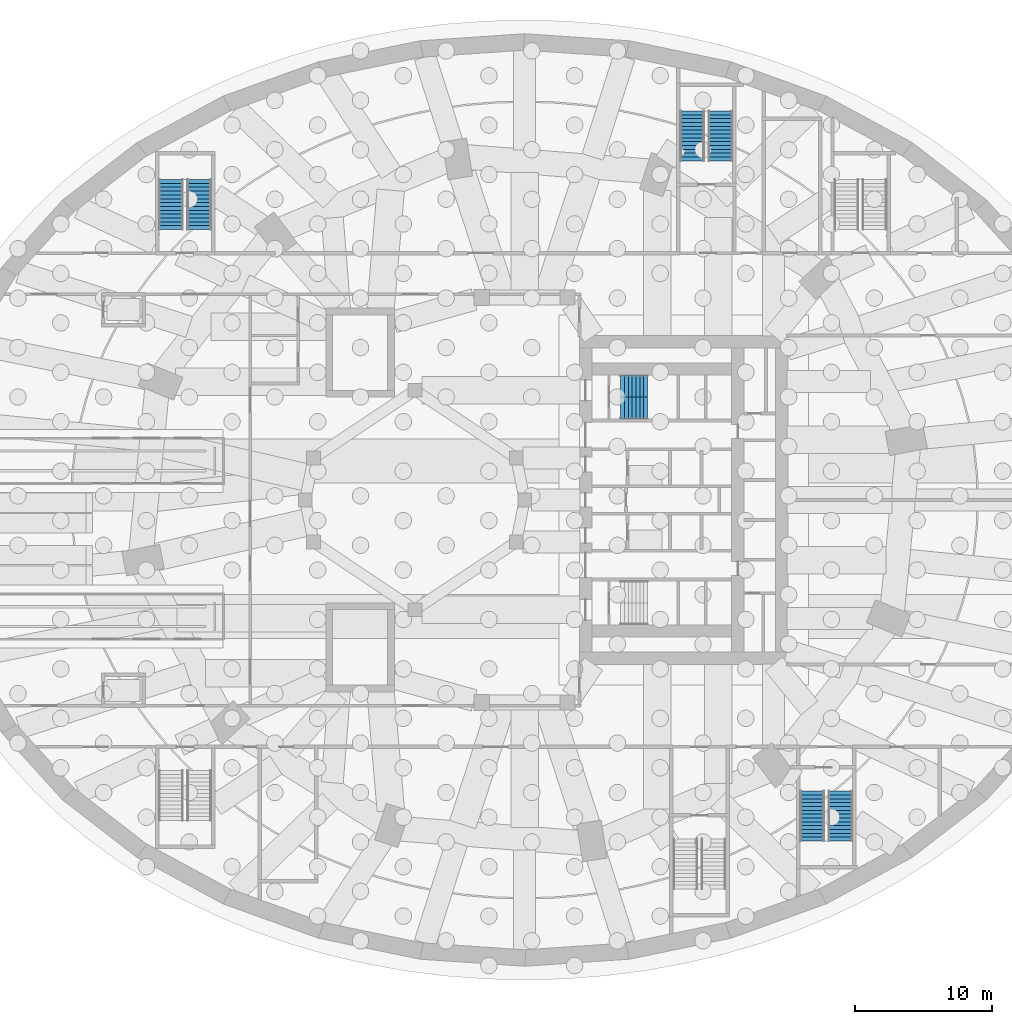
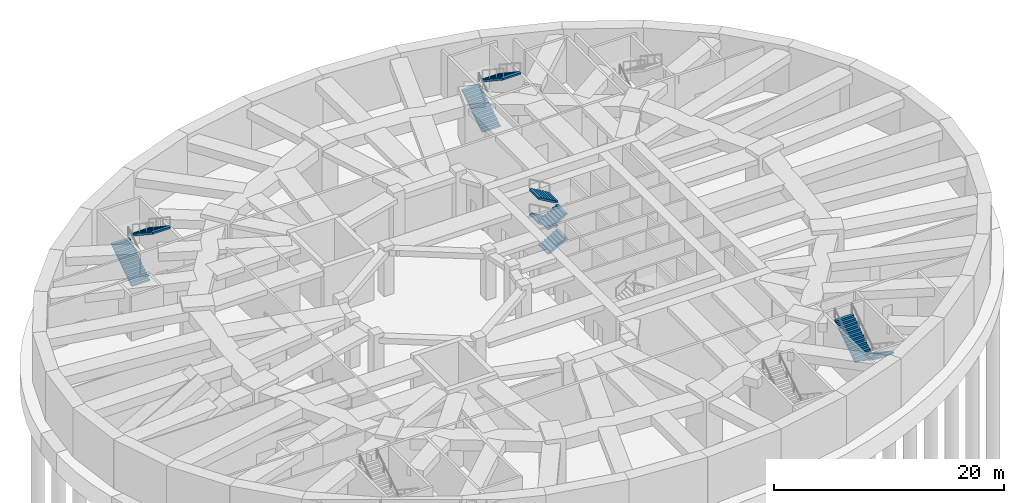
# One storey, part 13 of 18: 10 stair flights, 4 elements without a shape of their own.
"""IFC4 building model written with IfcOpenShell, lengths in metres."""

from ifc_helpers import new_model, si_unit, direction, frame, origin, place, context, subcontext, project, spatial, polyline, outline, extrude, material, type_object, element, aggregate, save


model = new_model("IFC4")

# Units and contexts
model_context = context("Model", 3, precision=1e-05, world=origin(), true_north=direction((0.0, 1.0)))
body_context = subcontext(model_context, "Body", "Model", "MODEL_VIEW")
ifc_project = project(units=[si_unit("LENGTHUNIT", "METRE"), si_unit("AREAUNIT", "SQUARE_METRE"), si_unit("VOLUMEUNIT", "CUBIC_METRE"), si_unit("PLANEANGLEUNIT", "RADIAN"), si_unit("MASSUNIT", "GRAM", prefix="KILO")], contexts=[model_context])

# Site, building, storey
site_placement = place(None, origin())
site = spatial("IfcSite", under=ifc_project, at=site_placement, CompositionType="ELEMENT")
building_placement = place(site_placement, origin())
building = spatial("IfcBuilding", under=site, at=building_placement, Name="Taillehof Tower", CompositionType="ELEMENT")
storey_placement = place(building_placement, frame((0.0, 0.0, -10.39990234375)))
storey = spatial("IfcBuildingStorey", under=building, at=storey_placement, Name="B2", CompositionType="ELEMENT", Elevation=-10.39990234375)

# Stair, stair flights
ifc_material_1 = material(Name="Concrete C40/50", Category="concrete")
stair_type_1 = type_object("IfcStairType", Name="Exit stair half-turn", PredefinedType="HALF_TURN_STAIR", material=ifc_material_1)
stair_1_placement = place(storey_placement, origin())
stair_1 = element("IfcStair", 1, at=stair_1_placement, inside=storey, type_object=stair_type_1, Name="Exit stair S1", PredefinedType="HALF_TURN_STAIR")
ifc_material_2 = material(Name="Concrete C40/50", Category="concrete")
stair_flight_type_1 = type_object("IfcStairFlightType", Name="Stair flight 1600 riser 162.5 going 280", PredefinedType="STRAIGHT", material=ifc_material_2)
stair_flight_1_placement = place(storey_placement, frame((7.0, 6.699951171875, 0.0), z_axis=(0.0, 0.0, 1.0), x_axis=(1.0, 0.0, 0.0)))
stair_flight_1 = element("IfcStairFlight", 2, at=stair_flight_1_placement, type_object=stair_flight_type_1, Name="S1 flight 1", NumberOfRisers=8, NumberOfTreads=7, PredefinedType="STRAIGHT", RiserHeight=0.1625, TreadLength=0.28, context=body_context, shape_type="SweptSolid", body=[
    extrude(outline(polyline([(0.0, 0.0), (0.0, 0.006591796875), (0.0, 0.012939453125), (0.0, 0.01953125), (0.0, 0.02587890625), (0.0, 0.032470703125), (0.0, 0.0390625), (0.0, 0.04541015625), (0.0, 0.052001953125), (0.0, 0.05859375), (0.0, 0.06494140625), (0.0, 0.071533203125), (0.0, 0.077880859375), (0.0, 0.08447265625), (0.0, 0.091064453125), (0.0, 0.097412109375), (0.0, 0.10400390625), (0.0, 0.110595703125), (0.0, 0.116943359375), (0.0, 0.12353515625), (0.0, 0.1298828125), (0.0, 0.136474609375), (0.0, 0.14306640625), (0.0, 0.1494140625), (0.0, 0.156005859375), (0.0, 0.16259765625), (0.280029296875, 0.16259765625), (0.280029296875, 0.324951171875), (0.56005859375, 0.324951171875), (0.56005859375, 0.487548828125), (0.840087890625, 0.487548828125), (0.840087890625, 0.64990234375), (1.1201171875, 0.64990234375), (1.1201171875, 0.8125), (1.39990234375, 0.8125), (1.39990234375, 0.97509765625), (1.679931640625, 0.97509765625), (1.679931640625, 1.137451171875), (1.9599609375, 1.137451171875), (1.9599609375, 1.130615234375), (1.9599609375, 1.12353515625), (1.9599609375, 1.11669921875), (1.9599609375, 1.10986328125), (1.9599609375, 1.102783203125), (1.9599609375, 1.095947265625), (1.9599609375, 1.0888671875), (1.9599609375, 1.08203125), (1.9599609375, 1.0751953125), (1.9599609375, 1.068115234375), (1.9599609375, 1.061279296875), (1.9599609375, 1.05419921875), (1.9599609375, 1.04736328125), (1.9599609375, 1.04052734375), (1.9599609375, 1.033447265625), (1.9599609375, 1.026611328125), (1.9599609375, 1.01953125), (1.9599609375, 1.0126953125), (1.9599609375, 1.005859375), (1.9599609375, 0.998779296875), (1.9599609375, 0.991943359375), (1.9599609375, 0.98486328125), (1.9599609375, 0.97802734375), (1.9599609375, 0.97119140625), (1.9599609375, 0.964111328125), (0.298583984375, 0.0), (0.0, 0.0)])), frame((0.0, 0.800048828125, 0.0), z_axis=(0.0, -1.0, 0.0), x_axis=(1.0, 0.0, 0.0)), (0.0, 0.0, 1.0), 1.6),
])
stair_flight_2_placement = place(storey_placement, frame((8.9599609375, 8.300048828125, 1.2998046875), z_axis=(0.0, 0.0, 1.0), x_axis=(-1.0, 0.0, 0.0)))
stair_flight_2 = element("IfcStairFlight", 3, at=stair_flight_2_placement, type_object=stair_flight_type_1, Name="S1 flight 2", NumberOfRisers=8, NumberOfTreads=7, PredefinedType="STRAIGHT", RiserHeight=0.1625, TreadLength=0.28, context=body_context, shape_type="SweptSolid", body=[
    extrude(outline(polyline([(0.0, 0.0), (0.0, 0.006591796875), (0.0, 0.012939453125), (0.0, 0.01953125), (0.0, 0.02587890625), (0.0, 0.032470703125), (0.0, 0.0390625), (0.0, 0.04541015625), (0.0, 0.052001953125), (0.0, 0.05859375), (0.0, 0.06494140625), (0.0, 0.071533203125), (0.0, 0.077880859375), (0.0, 0.08447265625), (0.0, 0.091064453125), (0.0, 0.097412109375), (0.0, 0.10400390625), (0.0, 0.110595703125), (0.0, 0.116943359375), (0.0, 0.12353515625), (0.0, 0.1298828125), (0.0, 0.136474609375), (0.0, 0.14306640625), (0.0, 0.1494140625), (0.0, 0.156005859375), (0.0, 0.16259765625), (0.280029296875, 0.16259765625), (0.280029296875, 0.324951171875), (0.56005859375, 0.324951171875), (0.56005859375, 0.487548828125), (0.840087890625, 0.487548828125), (0.840087890625, 0.64990234375), (1.1201171875, 0.64990234375), (1.1201171875, 0.8125), (1.39990234375, 0.8125), (1.39990234375, 0.97509765625), (1.679931640625, 0.97509765625), (1.679931640625, 1.137451171875), (1.9599609375, 1.137451171875), (1.9599609375, 1.130615234375), (1.9599609375, 1.12353515625), (1.9599609375, 1.11669921875), (1.9599609375, 1.10986328125), (1.9599609375, 1.102783203125), (1.9599609375, 1.095947265625), (1.9599609375, 1.0888671875), (1.9599609375, 1.08203125), (1.9599609375, 1.0751953125), (1.9599609375, 1.068115234375), (1.9599609375, 1.061279296875), (1.9599609375, 1.05419921875), (1.9599609375, 1.04736328125), (1.9599609375, 1.04052734375), (1.9599609375, 1.033447265625), (1.9599609375, 1.026611328125), (1.9599609375, 1.01953125), (1.9599609375, 1.0126953125), (1.9599609375, 1.005859375), (1.9599609375, 0.998779296875), (1.9599609375, 0.991943359375), (1.9599609375, 0.98486328125), (1.9599609375, 0.97802734375), (1.9599609375, 0.97119140625), (1.9599609375, 0.964111328125), (0.298583984375, 0.0), (0.0, 0.0)])), frame((0.0, 0.800048828125, 0.0), z_axis=(0.0, -1.0, 0.0), x_axis=(1.0, 0.0, 0.0)), (0.0, 0.0, 1.0), 1.6),
])
stair_flight_3_placement = place(storey_placement, frame((7.0, 6.699951171875, 2.599853515625), z_axis=(0.0, 0.0, 1.0), x_axis=(1.0, 0.0, 0.0)))
stair_flight_3 = element("IfcStairFlight", 4, at=stair_flight_3_placement, type_object=stair_flight_type_1, Name="S1 flight 3", NumberOfRisers=8, NumberOfTreads=7, PredefinedType="STRAIGHT", RiserHeight=0.1625, TreadLength=0.28, context=body_context, shape_type="SweptSolid", body=[
    extrude(outline(polyline([(0.0, 0.0), (0.0, 0.006591796875), (0.0, 0.012939453125), (0.0, 0.01953125), (0.0, 0.02587890625), (0.0, 0.032470703125), (0.0, 0.0390625), (0.0, 0.04541015625), (0.0, 0.052001953125), (0.0, 0.05859375), (0.0, 0.06494140625), (0.0, 0.071533203125), (0.0, 0.077880859375), (0.0, 0.08447265625), (0.0, 0.091064453125), (0.0, 0.097412109375), (0.0, 0.10400390625), (0.0, 0.110595703125), (0.0, 0.116943359375), (0.0, 0.12353515625), (0.0, 0.1298828125), (0.0, 0.136474609375), (0.0, 0.14306640625), (0.0, 0.1494140625), (0.0, 0.156005859375), (0.0, 0.16259765625), (0.280029296875, 0.16259765625), (0.280029296875, 0.324951171875), (0.56005859375, 0.324951171875), (0.56005859375, 0.487548828125), (0.840087890625, 0.487548828125), (0.840087890625, 0.64990234375), (1.1201171875, 0.64990234375), (1.1201171875, 0.8125), (1.39990234375, 0.8125), (1.39990234375, 0.97509765625), (1.679931640625, 0.97509765625), (1.679931640625, 1.137451171875), (1.9599609375, 1.137451171875), (1.9599609375, 1.130615234375), (1.9599609375, 1.12353515625), (1.9599609375, 1.11669921875), (1.9599609375, 1.10986328125), (1.9599609375, 1.102783203125), (1.9599609375, 1.095947265625), (1.9599609375, 1.0888671875), (1.9599609375, 1.08203125), (1.9599609375, 1.0751953125), (1.9599609375, 1.068115234375), (1.9599609375, 1.061279296875), (1.9599609375, 1.05419921875), (1.9599609375, 1.04736328125), (1.9599609375, 1.04052734375), (1.9599609375, 1.033447265625), (1.9599609375, 1.026611328125), (1.9599609375, 1.01953125), (1.9599609375, 1.0126953125), (1.9599609375, 1.005859375), (1.9599609375, 0.998779296875), (1.9599609375, 0.991943359375), (1.9599609375, 0.98486328125), (1.9599609375, 0.97802734375), (1.9599609375, 0.97119140625), (1.9599609375, 0.964111328125), (0.298583984375, 0.0), (0.0, 0.0)])), frame((0.0, 0.800048828125, 0.0), z_axis=(0.0, -1.0, 0.0), x_axis=(1.0, 0.0, 0.0)), (0.0, 0.0, 1.0), 1.6),
])
stair_flight_4_placement = place(storey_placement, frame((8.9599609375, 8.300048828125, 3.89990234375), z_axis=(0.0, 0.0, 1.0), x_axis=(-1.0, 0.0, 0.0)))
stair_flight_4 = element("IfcStairFlight", 5, at=stair_flight_4_placement, type_object=stair_flight_type_1, Name="S1 flight 4", NumberOfRisers=8, NumberOfTreads=7, PredefinedType="STRAIGHT", RiserHeight=0.1625, TreadLength=0.28, context=body_context, shape_type="SweptSolid", body=[
    extrude(outline(polyline([(0.0, 0.0), (0.0, 0.006591796875), (0.0, 0.012939453125), (0.0, 0.01953125), (0.0, 0.02587890625), (0.0, 0.032470703125), (0.0, 0.0390625), (0.0, 0.04541015625), (0.0, 0.052001953125), (0.0, 0.05859375), (0.0, 0.06494140625), (0.0, 0.071533203125), (0.0, 0.077880859375), (0.0, 0.08447265625), (0.0, 0.091064453125), (0.0, 0.097412109375), (0.0, 0.10400390625), (0.0, 0.110595703125), (0.0, 0.116943359375), (0.0, 0.12353515625), (0.0, 0.1298828125), (0.0, 0.136474609375), (0.0, 0.14306640625), (0.0, 0.1494140625), (0.0, 0.156005859375), (0.0, 0.16259765625), (0.280029296875, 0.16259765625), (0.280029296875, 0.324951171875), (0.56005859375, 0.324951171875), (0.56005859375, 0.487548828125), (0.840087890625, 0.487548828125), (0.840087890625, 0.64990234375), (1.1201171875, 0.64990234375), (1.1201171875, 0.8125), (1.39990234375, 0.8125), (1.39990234375, 0.97509765625), (1.679931640625, 0.97509765625), (1.679931640625, 1.137451171875), (1.9599609375, 1.137451171875), (1.9599609375, 1.130615234375), (1.9599609375, 1.12353515625), (1.9599609375, 1.11669921875), (1.9599609375, 1.10986328125), (1.9599609375, 1.102783203125), (1.9599609375, 1.095947265625), (1.9599609375, 1.0888671875), (1.9599609375, 1.08203125), (1.9599609375, 1.0751953125), (1.9599609375, 1.068115234375), (1.9599609375, 1.061279296875), (1.9599609375, 1.05419921875), (1.9599609375, 1.04736328125), (1.9599609375, 1.04052734375), (1.9599609375, 1.033447265625), (1.9599609375, 1.026611328125), (1.9599609375, 1.01953125), (1.9599609375, 1.0126953125), (1.9599609375, 1.005859375), (1.9599609375, 0.998779296875), (1.9599609375, 0.991943359375), (1.9599609375, 0.98486328125), (1.9599609375, 0.97802734375), (1.9599609375, 0.97119140625), (1.9599609375, 0.964111328125), (0.298583984375, 0.0), (0.0, 0.0)])), frame((0.0, 0.800048828125, 0.0), z_axis=(0.0, -1.0, 0.0), x_axis=(1.0, 0.0, 0.0)), (0.0, 0.0, 1.0), 1.6),
])
aggregate(stair_1, [stair_flight_1, stair_flight_2, stair_flight_3, stair_flight_4])

ifc_material_3 = material(Name="Concrete C30/37", Category="concrete")
stair_type_2 = type_object("IfcStairType", Name="Escape stair 1800 mm", PredefinedType="HALF_TURN_STAIR", material=ifc_material_3)
stair_2_placement = place(storey_placement, origin())
stair_2 = element("IfcStair", 6, at=stair_2_placement, inside=storey, type_object=stair_type_2, Name="Escape stair ES1", PredefinedType="HALF_TURN_STAIR")
ifc_material_4 = material(Name="Concrete C30/37", Category="concrete")
stair_flight_type_2 = type_object("IfcStairFlightType", Name="Stair flight 1800 mm", PredefinedType="STRAIGHT", material=ifc_material_4)
stair_flight_5_placement = place(storey_placement, frame((-25.77490234375, 19.72509765625, 0.0), z_axis=(0.0, 0.0, 1.0), x_axis=(0.0, 1.0, 0.0)))
stair_flight_5 = element("IfcStairFlight", 7, at=stair_flight_5_placement, type_object=stair_flight_type_2, Name="ES1 flight 1", NumberOfRisers=14, NumberOfTreads=13, PredefinedType="STRAIGHT", RiserHeight=0.185714286, TreadLength=0.28, context=body_context, shape_type="SweptSolid", body=[
    extrude(outline(polyline([(0.0, 0.0), (0.0, 0.00439453125), (0.0, 0.008544921875), (0.0, 0.012939453125), (0.0, 0.017333984375), (0.0, 0.021484375), (0.0, 0.02587890625), (0.0, 0.0302734375), (0.0, 0.03466796875), (0.0, 0.038818359375), (0.0, 0.043212890625), (0.0, 0.047607421875), (0.0, 0.0517578125), (0.0, 0.05615234375), (0.0, 0.060546875), (0.0, 0.064697265625), (0.0, 0.069091796875), (0.0, 0.073486328125), (0.0, 0.07763671875), (0.0, 0.08203125), (0.0, 0.08642578125), (0.0, 0.090576171875), (0.0, 0.094970703125), (0.0, 0.099365234375), (0.0, 0.103759765625), (0.0, 0.10791015625), (0.0, 0.1123046875), (0.0, 0.11669921875), (0.0, 0.120849609375), (0.0, 0.125244140625), (0.0, 0.129638671875), (0.0, 0.1337890625), (0.0, 0.13818359375), (0.0, 0.142578125), (0.0, 0.146728515625), (0.0, 0.151123046875), (0.0, 0.155517578125), (0.0, 0.159912109375), (0.0, 0.1640625), (0.0, 0.16845703125), (0.0, 0.1728515625), (0.0, 0.177001953125), (0.0, 0.181396484375), (0.0, 0.185791015625), (0.280029296875, 0.185791015625), (0.280029296875, 0.371337890625), (0.56005859375, 0.371337890625), (0.56005859375, 0.55712890625), (0.840087890625, 0.55712890625), (0.840087890625, 0.742919921875), (1.1201171875, 0.742919921875), (1.1201171875, 0.928466796875), (1.39990234375, 0.928466796875), (1.39990234375, 1.1142578125), (1.679931640625, 1.1142578125), (1.679931640625, 1.300048828125), (1.9599609375, 1.300048828125), (1.9599609375, 1.485595703125), (2.239990234375, 1.485595703125), (2.239990234375, 1.67138671875), (2.52001953125, 1.67138671875), (2.52001953125, 1.857177734375), (2.800048828125, 1.857177734375), (2.800048828125, 2.04296875), (3.080078125, 2.04296875), (3.080078125, 2.228515625), (3.360107421875, 2.228515625), (3.360107421875, 2.414306640625), (3.639892578125, 2.414306640625), (3.639892578125, 2.41015625), (3.639892578125, 2.406005859375), (3.639892578125, 2.40185546875), (3.639892578125, 2.3974609375), (3.639892578125, 2.393310546875), (3.639892578125, 2.38916015625), (3.639892578125, 2.385009765625), (3.639892578125, 2.380859375), (3.639892578125, 2.376708984375), (3.639892578125, 2.37255859375), (3.639892578125, 2.3681640625), (3.639892578125, 2.364013671875), (3.639892578125, 2.35986328125), (3.639892578125, 2.355712890625), (3.639892578125, 2.3515625), (3.639892578125, 2.347412109375), (3.639892578125, 2.34326171875), (3.639892578125, 2.3388671875), (3.639892578125, 2.334716796875), (3.639892578125, 2.33056640625), (3.639892578125, 2.326416015625), (3.639892578125, 2.322265625), (3.639892578125, 2.318115234375), (3.639892578125, 2.31396484375), (3.639892578125, 2.309814453125), (3.639892578125, 2.305419921875), (3.639892578125, 2.30126953125), (3.639892578125, 2.297119140625), (3.639892578125, 2.29296875), (3.639892578125, 2.288818359375), (3.639892578125, 2.28466796875), (3.639892578125, 2.280517578125), (3.639892578125, 2.276123046875), (3.639892578125, 2.27197265625), (3.639892578125, 2.267822265625), (3.639892578125, 2.263671875), (3.639892578125, 2.259521484375), (3.639892578125, 2.25537109375), (3.639892578125, 2.251220703125), (3.639892578125, 2.2470703125), (3.639892578125, 2.24267578125), (3.639892578125, 2.238525390625), (3.639892578125, 2.234375), (0.271240234375, 0.0), (0.0, 0.0)])), frame((0.0, 0.89990234375, 0.0), z_axis=(0.0, -1.0, 0.0), x_axis=(1.0, 0.0, 0.0)), (0.0, 0.0, 1.0), 1.8),
])
stair_flight_6_placement = place(storey_placement, frame((-23.72509765625, 23.364990234375, 2.599853515625), z_axis=(0.0, 0.0, 1.0), x_axis=(0.0, -1.0, 0.0)))
stair_flight_6 = element("IfcStairFlight", 8, at=stair_flight_6_placement, type_object=stair_flight_type_2, Name="ES1 flight 2", NumberOfRisers=14, NumberOfTreads=13, PredefinedType="STRAIGHT", RiserHeight=0.185714286, TreadLength=0.28, context=body_context, shape_type="SweptSolid", body=[
    extrude(outline(polyline([(0.0, 0.0), (0.0, 0.00439453125), (0.0, 0.008544921875), (0.0, 0.012939453125), (0.0, 0.017333984375), (0.0, 0.021484375), (0.0, 0.02587890625), (0.0, 0.0302734375), (0.0, 0.03466796875), (0.0, 0.038818359375), (0.0, 0.043212890625), (0.0, 0.047607421875), (0.0, 0.0517578125), (0.0, 0.05615234375), (0.0, 0.060546875), (0.0, 0.064697265625), (0.0, 0.069091796875), (0.0, 0.073486328125), (0.0, 0.07763671875), (0.0, 0.08203125), (0.0, 0.08642578125), (0.0, 0.090576171875), (0.0, 0.094970703125), (0.0, 0.099365234375), (0.0, 0.103759765625), (0.0, 0.10791015625), (0.0, 0.1123046875), (0.0, 0.11669921875), (0.0, 0.120849609375), (0.0, 0.125244140625), (0.0, 0.129638671875), (0.0, 0.1337890625), (0.0, 0.13818359375), (0.0, 0.142578125), (0.0, 0.146728515625), (0.0, 0.151123046875), (0.0, 0.155517578125), (0.0, 0.159912109375), (0.0, 0.1640625), (0.0, 0.16845703125), (0.0, 0.1728515625), (0.0, 0.177001953125), (0.0, 0.181396484375), (0.0, 0.185791015625), (0.280029296875, 0.185791015625), (0.280029296875, 0.371337890625), (0.56005859375, 0.371337890625), (0.56005859375, 0.55712890625), (0.840087890625, 0.55712890625), (0.840087890625, 0.742919921875), (1.1201171875, 0.742919921875), (1.1201171875, 0.928466796875), (1.39990234375, 0.928466796875), (1.39990234375, 1.1142578125), (1.679931640625, 1.1142578125), (1.679931640625, 1.300048828125), (1.9599609375, 1.300048828125), (1.9599609375, 1.485595703125), (2.239990234375, 1.485595703125), (2.239990234375, 1.67138671875), (2.52001953125, 1.67138671875), (2.52001953125, 1.857177734375), (2.800048828125, 1.857177734375), (2.800048828125, 2.04296875), (3.080078125, 2.04296875), (3.080078125, 2.228515625), (3.360107421875, 2.228515625), (3.360107421875, 2.414306640625), (3.639892578125, 2.414306640625), (3.639892578125, 2.41015625), (3.639892578125, 2.406005859375), (3.639892578125, 2.40185546875), (3.639892578125, 2.3974609375), (3.639892578125, 2.393310546875), (3.639892578125, 2.38916015625), (3.639892578125, 2.385009765625), (3.639892578125, 2.380859375), (3.639892578125, 2.376708984375), (3.639892578125, 2.37255859375), (3.639892578125, 2.3681640625), (3.639892578125, 2.364013671875), (3.639892578125, 2.35986328125), (3.639892578125, 2.355712890625), (3.639892578125, 2.3515625), (3.639892578125, 2.347412109375), (3.639892578125, 2.34326171875), (3.639892578125, 2.3388671875), (3.639892578125, 2.334716796875), (3.639892578125, 2.33056640625), (3.639892578125, 2.326416015625), (3.639892578125, 2.322265625), (3.639892578125, 2.318115234375), (3.639892578125, 2.31396484375), (3.639892578125, 2.309814453125), (3.639892578125, 2.305419921875), (3.639892578125, 2.30126953125), (3.639892578125, 2.297119140625), (3.639892578125, 2.29296875), (3.639892578125, 2.288818359375), (3.639892578125, 2.28466796875), (3.639892578125, 2.280517578125), (3.639892578125, 2.276123046875), (3.639892578125, 2.27197265625), (3.639892578125, 2.267822265625), (3.639892578125, 2.263671875), (3.639892578125, 2.259521484375), (3.639892578125, 2.25537109375), (3.639892578125, 2.251220703125), (3.639892578125, 2.2470703125), (3.639892578125, 2.24267578125), (3.639892578125, 2.238525390625), (3.639892578125, 2.234375), (0.271240234375, 0.0), (0.0, 0.0)])), frame((0.0, 0.89990234375, 0.0), z_axis=(0.0, -1.0, 0.0), x_axis=(1.0, 0.0, 0.0)), (0.0, 0.0, 1.0), 1.8),
])
aggregate(stair_2, [stair_flight_5, stair_flight_6])

stair_3_placement = place(storey_placement, origin())
stair_3 = element("IfcStair", 9, at=stair_3_placement, inside=storey, type_object=stair_type_2, Name="Escape stair ES3", PredefinedType="HALF_TURN_STAIR")
stair_flight_7_placement = place(storey_placement, frame((12.22509765625, 24.72509765625, 0.0), z_axis=(0.0, 0.0, 1.0), x_axis=(0.0, 1.0, 0.0)))
stair_flight_7 = element("IfcStairFlight", 10, at=stair_flight_7_placement, type_object=stair_flight_type_2, Name="ES3 flight 1", NumberOfRisers=14, NumberOfTreads=13, PredefinedType="STRAIGHT", RiserHeight=0.185714286, TreadLength=0.28, context=body_context, shape_type="SweptSolid", body=[
    extrude(outline(polyline([(0.0, 0.0), (0.0, 0.00439453125), (0.0, 0.008544921875), (0.0, 0.012939453125), (0.0, 0.017333984375), (0.0, 0.021484375), (0.0, 0.02587890625), (0.0, 0.0302734375), (0.0, 0.03466796875), (0.0, 0.038818359375), (0.0, 0.043212890625), (0.0, 0.047607421875), (0.0, 0.0517578125), (0.0, 0.05615234375), (0.0, 0.060546875), (0.0, 0.064697265625), (0.0, 0.069091796875), (0.0, 0.073486328125), (0.0, 0.07763671875), (0.0, 0.08203125), (0.0, 0.08642578125), (0.0, 0.090576171875), (0.0, 0.094970703125), (0.0, 0.099365234375), (0.0, 0.103759765625), (0.0, 0.10791015625), (0.0, 0.1123046875), (0.0, 0.11669921875), (0.0, 0.120849609375), (0.0, 0.125244140625), (0.0, 0.129638671875), (0.0, 0.1337890625), (0.0, 0.13818359375), (0.0, 0.142578125), (0.0, 0.146728515625), (0.0, 0.151123046875), (0.0, 0.155517578125), (0.0, 0.159912109375), (0.0, 0.1640625), (0.0, 0.16845703125), (0.0, 0.1728515625), (0.0, 0.177001953125), (0.0, 0.181396484375), (0.0, 0.185791015625), (0.280029296875, 0.185791015625), (0.280029296875, 0.371337890625), (0.56005859375, 0.371337890625), (0.56005859375, 0.55712890625), (0.840087890625, 0.55712890625), (0.840087890625, 0.742919921875), (1.1201171875, 0.742919921875), (1.1201171875, 0.928466796875), (1.39990234375, 0.928466796875), (1.39990234375, 1.1142578125), (1.679931640625, 1.1142578125), (1.679931640625, 1.300048828125), (1.9599609375, 1.300048828125), (1.9599609375, 1.485595703125), (2.239990234375, 1.485595703125), (2.239990234375, 1.67138671875), (2.52001953125, 1.67138671875), (2.52001953125, 1.857177734375), (2.800048828125, 1.857177734375), (2.800048828125, 2.04296875), (3.080078125, 2.04296875), (3.080078125, 2.228515625), (3.360107421875, 2.228515625), (3.360107421875, 2.414306640625), (3.639892578125, 2.414306640625), (3.639892578125, 2.41015625), (3.639892578125, 2.406005859375), (3.639892578125, 2.40185546875), (3.639892578125, 2.3974609375), (3.639892578125, 2.393310546875), (3.639892578125, 2.38916015625), (3.639892578125, 2.385009765625), (3.639892578125, 2.380859375), (3.639892578125, 2.376708984375), (3.639892578125, 2.37255859375), (3.639892578125, 2.3681640625), (3.639892578125, 2.364013671875), (3.639892578125, 2.35986328125), (3.639892578125, 2.355712890625), (3.639892578125, 2.3515625), (3.639892578125, 2.347412109375), (3.639892578125, 2.34326171875), (3.639892578125, 2.3388671875), (3.639892578125, 2.334716796875), (3.639892578125, 2.33056640625), (3.639892578125, 2.326416015625), (3.639892578125, 2.322265625), (3.639892578125, 2.318115234375), (3.639892578125, 2.31396484375), (3.639892578125, 2.309814453125), (3.639892578125, 2.305419921875), (3.639892578125, 2.30126953125), (3.639892578125, 2.297119140625), (3.639892578125, 2.29296875), (3.639892578125, 2.288818359375), (3.639892578125, 2.28466796875), (3.639892578125, 2.280517578125), (3.639892578125, 2.276123046875), (3.639892578125, 2.27197265625), (3.639892578125, 2.267822265625), (3.639892578125, 2.263671875), (3.639892578125, 2.259521484375), (3.639892578125, 2.25537109375), (3.639892578125, 2.251220703125), (3.639892578125, 2.2470703125), (3.639892578125, 2.24267578125), (3.639892578125, 2.238525390625), (3.639892578125, 2.234375), (0.271240234375, 0.0), (0.0, 0.0)])), frame((0.0, 0.89990234375, 0.0), z_axis=(0.0, -1.0, 0.0), x_axis=(1.0, 0.0, 0.0)), (0.0, 0.0, 1.0), 1.8),
])
stair_flight_8_placement = place(storey_placement, frame((14.27490234375, 28.364990234375, 2.599853515625), z_axis=(0.0, 0.0, 1.0), x_axis=(0.0, -1.0, 0.0)))
stair_flight_8 = element("IfcStairFlight", 11, at=stair_flight_8_placement, type_object=stair_flight_type_2, Name="ES3 flight 2", NumberOfRisers=14, NumberOfTreads=13, PredefinedType="STRAIGHT", RiserHeight=0.185714286, TreadLength=0.28, context=body_context, shape_type="SweptSolid", body=[
    extrude(outline(polyline([(0.0, 0.0), (0.0, 0.00439453125), (0.0, 0.008544921875), (0.0, 0.012939453125), (0.0, 0.017333984375), (0.0, 0.021484375), (0.0, 0.02587890625), (0.0, 0.0302734375), (0.0, 0.03466796875), (0.0, 0.038818359375), (0.0, 0.043212890625), (0.0, 0.047607421875), (0.0, 0.0517578125), (0.0, 0.05615234375), (0.0, 0.060546875), (0.0, 0.064697265625), (0.0, 0.069091796875), (0.0, 0.073486328125), (0.0, 0.07763671875), (0.0, 0.08203125), (0.0, 0.08642578125), (0.0, 0.090576171875), (0.0, 0.094970703125), (0.0, 0.099365234375), (0.0, 0.103759765625), (0.0, 0.10791015625), (0.0, 0.1123046875), (0.0, 0.11669921875), (0.0, 0.120849609375), (0.0, 0.125244140625), (0.0, 0.129638671875), (0.0, 0.1337890625), (0.0, 0.13818359375), (0.0, 0.142578125), (0.0, 0.146728515625), (0.0, 0.151123046875), (0.0, 0.155517578125), (0.0, 0.159912109375), (0.0, 0.1640625), (0.0, 0.16845703125), (0.0, 0.1728515625), (0.0, 0.177001953125), (0.0, 0.181396484375), (0.0, 0.185791015625), (0.280029296875, 0.185791015625), (0.280029296875, 0.371337890625), (0.56005859375, 0.371337890625), (0.56005859375, 0.55712890625), (0.840087890625, 0.55712890625), (0.840087890625, 0.742919921875), (1.1201171875, 0.742919921875), (1.1201171875, 0.928466796875), (1.39990234375, 0.928466796875), (1.39990234375, 1.1142578125), (1.679931640625, 1.1142578125), (1.679931640625, 1.300048828125), (1.9599609375, 1.300048828125), (1.9599609375, 1.485595703125), (2.239990234375, 1.485595703125), (2.239990234375, 1.67138671875), (2.52001953125, 1.67138671875), (2.52001953125, 1.857177734375), (2.800048828125, 1.857177734375), (2.800048828125, 2.04296875), (3.080078125, 2.04296875), (3.080078125, 2.228515625), (3.360107421875, 2.228515625), (3.360107421875, 2.414306640625), (3.639892578125, 2.414306640625), (3.639892578125, 2.41015625), (3.639892578125, 2.406005859375), (3.639892578125, 2.40185546875), (3.639892578125, 2.3974609375), (3.639892578125, 2.393310546875), (3.639892578125, 2.38916015625), (3.639892578125, 2.385009765625), (3.639892578125, 2.380859375), (3.639892578125, 2.376708984375), (3.639892578125, 2.37255859375), (3.639892578125, 2.3681640625), (3.639892578125, 2.364013671875), (3.639892578125, 2.35986328125), (3.639892578125, 2.355712890625), (3.639892578125, 2.3515625), (3.639892578125, 2.347412109375), (3.639892578125, 2.34326171875), (3.639892578125, 2.3388671875), (3.639892578125, 2.334716796875), (3.639892578125, 2.33056640625), (3.639892578125, 2.326416015625), (3.639892578125, 2.322265625), (3.639892578125, 2.318115234375), (3.639892578125, 2.31396484375), (3.639892578125, 2.309814453125), (3.639892578125, 2.305419921875), (3.639892578125, 2.30126953125), (3.639892578125, 2.297119140625), (3.639892578125, 2.29296875), (3.639892578125, 2.288818359375), (3.639892578125, 2.28466796875), (3.639892578125, 2.280517578125), (3.639892578125, 2.276123046875), (3.639892578125, 2.27197265625), (3.639892578125, 2.267822265625), (3.639892578125, 2.263671875), (3.639892578125, 2.259521484375), (3.639892578125, 2.25537109375), (3.639892578125, 2.251220703125), (3.639892578125, 2.2470703125), (3.639892578125, 2.24267578125), (3.639892578125, 2.238525390625), (3.639892578125, 2.234375), (0.271240234375, 0.0), (0.0, 0.0)])), frame((0.0, 0.89990234375, 0.0), z_axis=(0.0, -1.0, 0.0), x_axis=(1.0, 0.0, 0.0)), (0.0, 0.0, 1.0), 1.8),
])
aggregate(stair_3, [stair_flight_7, stair_flight_8])

stair_4_placement = place(storey_placement, origin())
stair_4 = element("IfcStair", 12, at=stair_4_placement, inside=storey, type_object=stair_type_2, Name="Escape stair ES4", PredefinedType="HALF_TURN_STAIR")
stair_flight_9_placement = place(storey_placement, frame((23.02490234375, -21.22509765625, 0.0), z_axis=(0.0, 0.0, 1.0), x_axis=(0.0, -1.0, 0.0)))
stair_flight_9 = element("IfcStairFlight", 13, at=stair_flight_9_placement, type_object=stair_flight_type_2, Name="ES4 flight 1", NumberOfRisers=14, NumberOfTreads=13, PredefinedType="STRAIGHT", RiserHeight=0.185714286, TreadLength=0.28, context=body_context, shape_type="SweptSolid", body=[
    extrude(outline(polyline([(0.0, 0.0), (0.0, 0.00439453125), (0.0, 0.008544921875), (0.0, 0.012939453125), (0.0, 0.017333984375), (0.0, 0.021484375), (0.0, 0.02587890625), (0.0, 0.0302734375), (0.0, 0.03466796875), (0.0, 0.038818359375), (0.0, 0.043212890625), (0.0, 0.047607421875), (0.0, 0.0517578125), (0.0, 0.05615234375), (0.0, 0.060546875), (0.0, 0.064697265625), (0.0, 0.069091796875), (0.0, 0.073486328125), (0.0, 0.07763671875), (0.0, 0.08203125), (0.0, 0.08642578125), (0.0, 0.090576171875), (0.0, 0.094970703125), (0.0, 0.099365234375), (0.0, 0.103759765625), (0.0, 0.10791015625), (0.0, 0.1123046875), (0.0, 0.11669921875), (0.0, 0.120849609375), (0.0, 0.125244140625), (0.0, 0.129638671875), (0.0, 0.1337890625), (0.0, 0.13818359375), (0.0, 0.142578125), (0.0, 0.146728515625), (0.0, 0.151123046875), (0.0, 0.155517578125), (0.0, 0.159912109375), (0.0, 0.1640625), (0.0, 0.16845703125), (0.0, 0.1728515625), (0.0, 0.177001953125), (0.0, 0.181396484375), (0.0, 0.185791015625), (0.280029296875, 0.185791015625), (0.280029296875, 0.371337890625), (0.56005859375, 0.371337890625), (0.56005859375, 0.55712890625), (0.840087890625, 0.55712890625), (0.840087890625, 0.742919921875), (1.1201171875, 0.742919921875), (1.1201171875, 0.928466796875), (1.39990234375, 0.928466796875), (1.39990234375, 1.1142578125), (1.679931640625, 1.1142578125), (1.679931640625, 1.300048828125), (1.9599609375, 1.300048828125), (1.9599609375, 1.485595703125), (2.239990234375, 1.485595703125), (2.239990234375, 1.67138671875), (2.52001953125, 1.67138671875), (2.52001953125, 1.857177734375), (2.800048828125, 1.857177734375), (2.800048828125, 2.04296875), (3.080078125, 2.04296875), (3.080078125, 2.228515625), (3.360107421875, 2.228515625), (3.360107421875, 2.414306640625), (3.639892578125, 2.414306640625), (3.639892578125, 2.41015625), (3.639892578125, 2.406005859375), (3.639892578125, 2.40185546875), (3.639892578125, 2.3974609375), (3.639892578125, 2.393310546875), (3.639892578125, 2.38916015625), (3.639892578125, 2.385009765625), (3.639892578125, 2.380859375), (3.639892578125, 2.376708984375), (3.639892578125, 2.37255859375), (3.639892578125, 2.3681640625), (3.639892578125, 2.364013671875), (3.639892578125, 2.35986328125), (3.639892578125, 2.355712890625), (3.639892578125, 2.3515625), (3.639892578125, 2.347412109375), (3.639892578125, 2.34326171875), (3.639892578125, 2.3388671875), (3.639892578125, 2.334716796875), (3.639892578125, 2.33056640625), (3.639892578125, 2.326416015625), (3.639892578125, 2.322265625), (3.639892578125, 2.318115234375), (3.639892578125, 2.31396484375), (3.639892578125, 2.309814453125), (3.639892578125, 2.305419921875), (3.639892578125, 2.30126953125), (3.639892578125, 2.297119140625), (3.639892578125, 2.29296875), (3.639892578125, 2.288818359375), (3.639892578125, 2.28466796875), (3.639892578125, 2.280517578125), (3.639892578125, 2.276123046875), (3.639892578125, 2.27197265625), (3.639892578125, 2.267822265625), (3.639892578125, 2.263671875), (3.639892578125, 2.259521484375), (3.639892578125, 2.25537109375), (3.639892578125, 2.251220703125), (3.639892578125, 2.2470703125), (3.639892578125, 2.24267578125), (3.639892578125, 2.238525390625), (3.639892578125, 2.234375), (0.271240234375, 0.0), (0.0, 0.0)])), frame((0.0, 0.89990234375, 0.0), z_axis=(0.0, -1.0, 0.0), x_axis=(1.0, 0.0, 0.0)), (0.0, 0.0, 1.0), 1.8),
])
stair_flight_10_placement = place(storey_placement, frame((20.97509765625, -24.864990234375, 2.599853515625), z_axis=(0.0, 0.0, 1.0), x_axis=(0.0, 1.0, 0.0)))
stair_flight_10 = element("IfcStairFlight", 14, at=stair_flight_10_placement, type_object=stair_flight_type_2, Name="ES4 flight 2", NumberOfRisers=14, NumberOfTreads=13, PredefinedType="STRAIGHT", RiserHeight=0.185714286, TreadLength=0.28, context=body_context, shape_type="SweptSolid", body=[
    extrude(outline(polyline([(0.0, 0.0), (0.0, 0.00439453125), (0.0, 0.008544921875), (0.0, 0.012939453125), (0.0, 0.017333984375), (0.0, 0.021484375), (0.0, 0.02587890625), (0.0, 0.0302734375), (0.0, 0.03466796875), (0.0, 0.038818359375), (0.0, 0.043212890625), (0.0, 0.047607421875), (0.0, 0.0517578125), (0.0, 0.05615234375), (0.0, 0.060546875), (0.0, 0.064697265625), (0.0, 0.069091796875), (0.0, 0.073486328125), (0.0, 0.07763671875), (0.0, 0.08203125), (0.0, 0.08642578125), (0.0, 0.090576171875), (0.0, 0.094970703125), (0.0, 0.099365234375), (0.0, 0.103759765625), (0.0, 0.10791015625), (0.0, 0.1123046875), (0.0, 0.11669921875), (0.0, 0.120849609375), (0.0, 0.125244140625), (0.0, 0.129638671875), (0.0, 0.1337890625), (0.0, 0.13818359375), (0.0, 0.142578125), (0.0, 0.146728515625), (0.0, 0.151123046875), (0.0, 0.155517578125), (0.0, 0.159912109375), (0.0, 0.1640625), (0.0, 0.16845703125), (0.0, 0.1728515625), (0.0, 0.177001953125), (0.0, 0.181396484375), (0.0, 0.185791015625), (0.280029296875, 0.185791015625), (0.280029296875, 0.371337890625), (0.56005859375, 0.371337890625), (0.56005859375, 0.55712890625), (0.840087890625, 0.55712890625), (0.840087890625, 0.742919921875), (1.1201171875, 0.742919921875), (1.1201171875, 0.928466796875), (1.39990234375, 0.928466796875), (1.39990234375, 1.1142578125), (1.679931640625, 1.1142578125), (1.679931640625, 1.300048828125), (1.9599609375, 1.300048828125), (1.9599609375, 1.485595703125), (2.239990234375, 1.485595703125), (2.239990234375, 1.67138671875), (2.52001953125, 1.67138671875), (2.52001953125, 1.857177734375), (2.800048828125, 1.857177734375), (2.800048828125, 2.04296875), (3.080078125, 2.04296875), (3.080078125, 2.228515625), (3.360107421875, 2.228515625), (3.360107421875, 2.414306640625), (3.639892578125, 2.414306640625), (3.639892578125, 2.41015625), (3.639892578125, 2.406005859375), (3.639892578125, 2.40185546875), (3.639892578125, 2.3974609375), (3.639892578125, 2.393310546875), (3.639892578125, 2.38916015625), (3.639892578125, 2.385009765625), (3.639892578125, 2.380859375), (3.639892578125, 2.376708984375), (3.639892578125, 2.37255859375), (3.639892578125, 2.3681640625), (3.639892578125, 2.364013671875), (3.639892578125, 2.35986328125), (3.639892578125, 2.355712890625), (3.639892578125, 2.3515625), (3.639892578125, 2.347412109375), (3.639892578125, 2.34326171875), (3.639892578125, 2.3388671875), (3.639892578125, 2.334716796875), (3.639892578125, 2.33056640625), (3.639892578125, 2.326416015625), (3.639892578125, 2.322265625), (3.639892578125, 2.318115234375), (3.639892578125, 2.31396484375), (3.639892578125, 2.309814453125), (3.639892578125, 2.305419921875), (3.639892578125, 2.30126953125), (3.639892578125, 2.297119140625), (3.639892578125, 2.29296875), (3.639892578125, 2.288818359375), (3.639892578125, 2.28466796875), (3.639892578125, 2.280517578125), (3.639892578125, 2.276123046875), (3.639892578125, 2.27197265625), (3.639892578125, 2.267822265625), (3.639892578125, 2.263671875), (3.639892578125, 2.259521484375), (3.639892578125, 2.25537109375), (3.639892578125, 2.251220703125), (3.639892578125, 2.2470703125), (3.639892578125, 2.24267578125), (3.639892578125, 2.238525390625), (3.639892578125, 2.234375), (0.271240234375, 0.0), (0.0, 0.0)])), frame((0.0, 0.89990234375, 0.0), z_axis=(0.0, -1.0, 0.0), x_axis=(1.0, 0.0, 0.0)), (0.0, 0.0, 1.0), 1.8),
])
aggregate(stair_4, [stair_flight_9, stair_flight_10])

save(model, "model.ifc")
